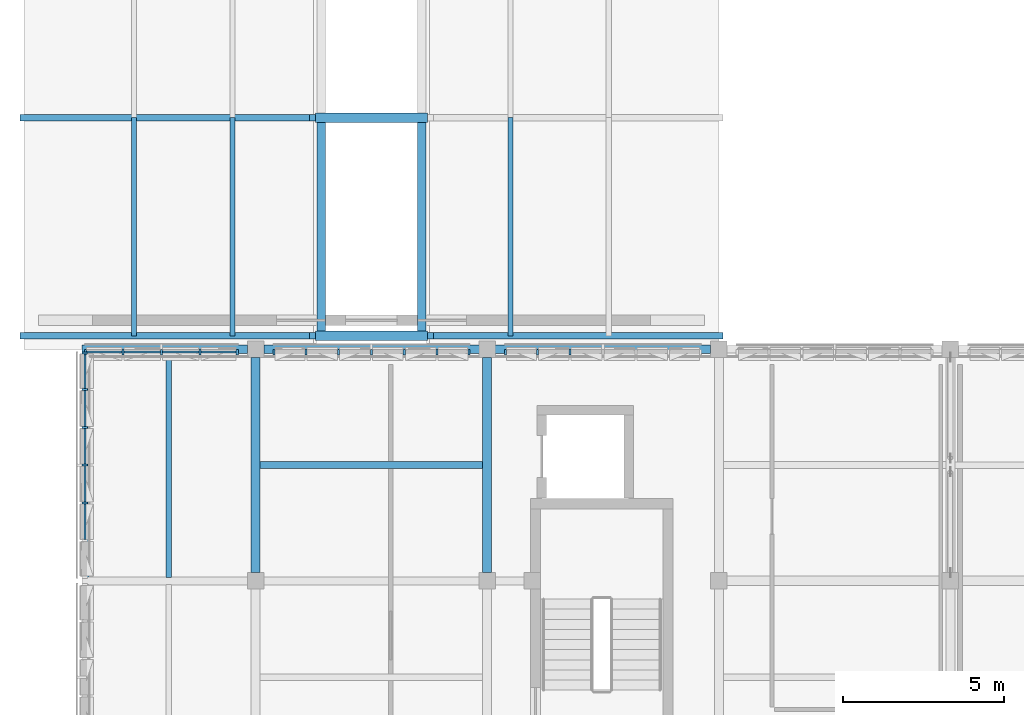
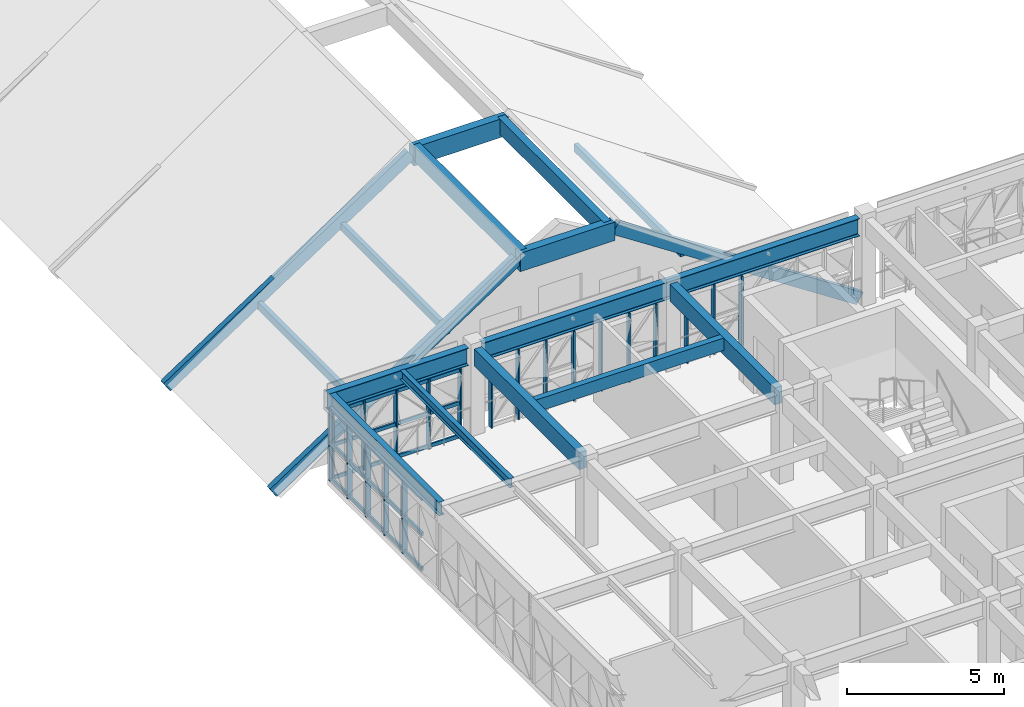
# One storey, part 8 of 48: 53 members, 11 beams, 4 elements without a shape of their own.
"""IFC4 building model written with IfcOpenShell, lengths in metres."""

from ifc_helpers import new_model, si_unit, direction, frame, origin, origin_2d, place, context, subcontext, project, spatial, rectangle, i_section, extrude, material, material_profile, profile_set, type_object, element, aggregate, save


model = new_model("IFC4")

# Units and contexts
model_context = context("Model", 3, precision=1e-05, world=origin(), true_north=direction((0.0, 1.0)))
body_context = subcontext(model_context, "Body", "Model", "MODEL_VIEW")
ifc_project = project(units=[si_unit("LENGTHUNIT", "METRE"), si_unit("AREAUNIT", "SQUARE_METRE"), si_unit("VOLUMEUNIT", "CUBIC_METRE"), si_unit("PLANEANGLEUNIT", "RADIAN"), si_unit("MASSUNIT", "GRAM", prefix="KILO")], contexts=[model_context])

# Site, building, storey
site_placement = place(None, origin())
site = spatial("IfcSite", under=ifc_project, at=site_placement, CompositionType="ELEMENT")
building_placement = place(site_placement, origin())
building = spatial("IfcBuilding", under=site, at=building_placement, Name="Alvorim Cloister Faculty of Sciences", CompositionType="ELEMENT")
storey_placement = place(building_placement, frame((0.0, 0.0, 19.35009765625)))
storey = spatial("IfcBuildingStorey", under=building, at=storey_placement, Name="L05", CompositionType="ELEMENT", Elevation=19.35009765625)

# Beams
ifc_material_1 = material(Name="Glulam GL28h", Category="wood")
ifc_material_profile_1 = material_profile(ifc_material_1, rectangle(XDim=0.260009765625, YDim=0.60009765625, at=origin_2d()), Name="GL28-BM-260x600")
ifc_profile_set_1 = profile_set([ifc_material_profile_1], Name="Glulam GL28h")
beam_type_1 = type_object("IfcBeamType", Name="BM-GL-260x600", PredefinedType="BEAM", material=ifc_profile_set_1)
for number, where, z_axis, x_axis, name in (
    (1, (9.239990234375, 56.820068359375, 5.78857421875), (0.0, 1.0, 0.0), (-1.0, 0.0, 0.0), "L05 Learning Commons Skylight Curb Beam BM-2242"),
    (2, (12.360107421875, 56.820068359375, 5.78857421875), (0.0, 1.0, 0.0), (-1.0, 0.0, 0.0), "L05 Learning Commons Skylight Curb Beam BM-2250"),
):
    element("IfcBeam", number, at=place(storey_placement, frame(where, z_axis=z_axis, x_axis=x_axis)), inside=storey, type_object=beam_type_1, Name=name, PredefinedType="BEAM", context=body_context, shape_type="SweptSolid", body=[
        extrude(rectangle(XDim=0.260009765625, YDim=0.60009765625, at=origin_2d()), origin(), (0.0, 0.0, 1.0), 6.780029296875),
    ])
ifc_material_profile_2 = material_profile(ifc_material_1, rectangle(XDim=0.280029296875, YDim=0.659912109375, at=origin_2d()), Name="GL28-BM-280x660")
ifc_profile_set_2 = profile_set([ifc_material_profile_2], Name="Glulam GL28h")
beam_type_2 = type_object("IfcBeamType", Name="BM-GL-280x660", PredefinedType="BEAM", material=ifc_profile_set_2)
for number, where, z_axis, x_axis, name in (
    (3, (7.199951171875, 49.4599609375, 3.059814453125), (0.0, 1.0, 0.0), (-1.0, 0.0, 0.0), "L05 Primary Girder BM-1986"),
    (4, (14.39990234375, 49.4599609375, 3.059814453125), (0.0, 1.0, 0.0), (-1.0, 0.0, 0.0), "L05 Primary Girder BM-1993"),
):
    element("IfcBeam", number, at=place(storey_placement, frame(where, z_axis=z_axis, x_axis=x_axis)), inside=storey, type_object=beam_type_2, Name=name, PredefinedType="BEAM", context=body_context, shape_type="SweptSolid", body=[
        extrude(rectangle(XDim=0.280029296875, YDim=0.659912109375, at=origin_2d()), origin(), (0.0, 0.0, 1.0), 6.679931640625),
    ])
ifc_material_2 = material(Name="Glulam GL32h", Category="wood")
ifc_material_profile_3 = material_profile(ifc_material_2, rectangle(XDim=0.300048828125, YDim=0.719970703125, at=origin_2d()), Name="GL32-BM-300x720")
ifc_profile_set_3 = profile_set([ifc_material_profile_3], Name="Glulam GL32h")
beam_type_3 = type_object("IfcBeamType", Name="BM-GL-300x720", PredefinedType="BEAM", material=ifc_profile_set_3)
for number, where, z_axis, x_axis, name in (
    (5, (9.06005859375, 56.820068359375, 5.728515625), (1.0, 0.0, 0.0), (0.0, 1.0, 0.0), "L05 Learning Commons Lantern Collar Beam BM-2233"),
    (6, (9.06005859375, 63.60009765625, 5.728515625), (1.0, 0.0, 0.0), (0.0, 1.0, 0.0), "L05 Learning Commons Lantern Collar Beam BM-2234"),
):
    element("IfcBeam", number, at=place(storey_placement, frame(where, z_axis=z_axis, x_axis=x_axis)), inside=storey, type_object=beam_type_3, Name=name, PredefinedType="BEAM", context=body_context, shape_type="SweptSolid", body=[
        extrude(rectangle(XDim=0.300048828125, YDim=0.719970703125, at=origin_2d()), origin(), (0.0, 0.0, 1.0), 3.47998046875),
    ])
ifc_material_profile_4 = material_profile(ifc_material_1, rectangle(XDim=0.219970703125, YDim=0.47998046875, at=origin_2d()), Name="GL28-JST-220x480")
ifc_profile_set_4 = profile_set([ifc_material_profile_4], Name="Glulam GL28h")
beam_type_4 = type_object("IfcBeamType", Name="BM-JST-GL-220x480", PredefinedType="JOIST", material=ifc_profile_set_4)
beam_1_placement = place(storey_placement, frame((7.340087890625, 52.800048828125, 3.14990234375), z_axis=(1.0, 0.0, 0.0), x_axis=(0.0, 1.0, 0.0)))
element("IfcBeam", 7, at=beam_1_placement, inside=storey, type_object=beam_type_4, Name="L05 Secondary Floor Joist BM-2022", PredefinedType="JOIST", context=body_context, shape_type="SweptSolid", body=[
    extrude(rectangle(XDim=0.219970703125, YDim=0.47998046875, at=origin_2d()), origin(), (0.0, 0.0, 1.0), 6.919921875),
])
ifc_material_3 = material(Name="Steel ASTM A572 Grade 50", Category="steel")
ifc_material_profile_5 = material_profile(ifc_material_3, i_section(OverallWidth=0.1708984375, OverallDepth=0.35498046875, WebThickness=0.007080078125, FlangeThickness=0.01171875, FilletRadius=0.012939453125, at=origin_2d()), Name="W360x51.0")
ifc_profile_set_5 = profile_set([ifc_material_profile_5], Name="Steel ASTM A572 Grade 50")
beam_type_5 = type_object("IfcBeamType", Name="BM-STL-W360", PredefinedType="JOIST", material=ifc_profile_set_5)
beam_2_placement = place(storey_placement, frame((4.5, 49.31005859375, 3.21240234375), z_axis=(0.0, 1.0, 0.0), x_axis=(-1.0, 0.0, 0.0)))
element("IfcBeam", 8, at=beam_2_placement, inside=storey, type_object=beam_type_5, Name="L05 Cantilever Deck Joist BM-0126", PredefinedType="JOIST", context=body_context, shape_type="SweptSolid", body=[
    extrude(i_section(OverallWidth=0.1708984375, OverallDepth=0.35498046875, WebThickness=0.007080078125, FlangeThickness=0.01171875, FilletRadius=0.012939453125, at=origin_2d()), origin(), (0.0, 0.0, 1.0), 6.97998046875),
])
ifc_material_profile_6 = material_profile(ifc_material_3, i_section(OverallWidth=0.208984375, OverallDepth=0.532958984375, WebThickness=0.01025390625, FlangeThickness=0.015625, FilletRadius=0.01611328125, at=origin_2d()), Name="W530x92.0")
ifc_profile_set_6 = profile_set([ifc_material_profile_6], Name="Steel ASTM A572 Grade 50")
beam_type_6 = type_object("IfcBeamType", Name="BM-STL-W530", PredefinedType="BEAM", material=ifc_profile_set_6)
beam_3_placement = place(storey_placement, frame((1.919921875, 49.31005859375, 3.123291015625), z_axis=(0.0, 1.0, 0.0), x_axis=(-1.0, 0.0, 0.0)))
element("IfcBeam", 9, at=beam_3_placement, inside=storey, type_object=beam_type_6, Name="L05 Cantilever Tip Header Girder BM-0125", PredefinedType="BEAM", context=body_context, shape_type="SweptSolid", body=[
    extrude(i_section(OverallWidth=0.208984375, OverallDepth=0.532958984375, WebThickness=0.01025390625, FlangeThickness=0.015625, FilletRadius=0.01611328125, at=origin_2d()), origin(), (0.0, 0.0, 1.0), 6.97998046875),
])
ifc_material_profile_7 = material_profile(ifc_material_3, i_section(OverallWidth=0.25390625, OverallDepth=0.68408203125, WebThickness=0.012451171875, FlangeThickness=0.01904296875, FilletRadius=0.01904296875, at=origin_2d()), Name="W690x140.0")
ifc_profile_set_7 = profile_set([ifc_material_profile_7], Name="Steel ASTM A572 Grade 50")
beam_type_7 = type_object("IfcBeamType", Name="BM-STL-W690", PredefinedType="BEAM", material=ifc_profile_set_7)
beam_4_placement = place(storey_placement, frame((7.4599609375, 56.39990234375, 3.0478515625), z_axis=(1.0, 0.0, 0.0), x_axis=(0.0, 1.0, 0.0)))
element("IfcBeam", 10, at=beam_4_placement, inside=storey, type_object=beam_type_7, Name="L05 Cantilever Backspan Girder BM-0115", PredefinedType="BEAM", context=body_context, shape_type="SweptSolid", body=[
    extrude(i_section(OverallWidth=0.25390625, OverallDepth=0.68408203125, WebThickness=0.012451171875, FlangeThickness=0.01904296875, FilletRadius=0.01904296875, at=origin_2d()), origin(), (0.0, 0.0, 1.0), 13.880126953125),
])
beam_5_placement = place(storey_placement, frame((1.800048828125, 56.39990234375, 3.0478515625), z_axis=(1.0, 0.0, 0.0), x_axis=(0.0, 1.0, 0.0)))
element("IfcBeam", 11, at=beam_5_placement, inside=storey, type_object=beam_type_7, Name="L05 Cantilever Overhang Girder BM-0116", PredefinedType="BEAM", context=body_context, shape_type="SweptSolid", body=[
    extrude(i_section(OverallWidth=0.25390625, OverallDepth=0.68408203125, WebThickness=0.012451171875, FlangeThickness=0.01904296875, FilletRadius=0.01904296875, at=origin_2d()), origin(), (0.0, 0.0, 1.0), 5.139892578125),
])

# Curtain wall, members
ifc_material_4 = material(Name="Aluminium and Low-E Glass Curtain Wall", Category="aluminium")
curtain_wall_type_1 = type_object("IfcCurtainWallType", Name="CW-TRI-7040x2857", PredefinedType="USERDEFINED", material=ifc_material_4)
curtain_wall_1_placement = place(storey_placement, origin())
curtain_wall_1 = element("IfcCurtainWall", 12, at=curtain_wall_1_placement, inside=storey, type_object=curtain_wall_type_1, Name="L05 Diagonal Cassette Curtain Wall CW-0218", ObjectType="UNITISED CURTAIN WALL", PredefinedType="USERDEFINED")
ifc_material_5 = material(Name="Aluminium Alloy 6063-T6", Category="aluminium")
ifc_material_profile_8 = material_profile(ifc_material_5, rectangle(XDim=0.06494140625, YDim=0.179931640625, at=origin_2d()), Name="ALU-MUL-65x180")
ifc_profile_set_8 = profile_set([ifc_material_profile_8], Name="Aluminium Alloy 6063-T6")
member_type_1 = type_object("IfcMemberType", Name="CW-MUL-65x180", PredefinedType="MULLION", material=ifc_profile_set_8)
member_1_placement = place(storey_placement, frame((1.889892578125, 51.626708984375, 0.0), z_axis=(0.0, 0.0, 1.0), x_axis=(0.0, 1.0, 0.0)))
member_1 = element("IfcMember", 13, at=member_1_placement, type_object=member_type_1, Name="CW-0218 Mullion 3", PredefinedType="MULLION", context=body_context, shape_type="SweptSolid", body=[
    extrude(rectangle(XDim=0.06494140625, YDim=0.179931640625, at=origin_2d()), origin(), (0.0, 0.0, 1.0), 2.85693359375),
])
member_2_placement = place(storey_placement, frame((1.889892578125, 52.800048828125, 0.0), z_axis=(0.0, 0.0, 1.0), x_axis=(0.0, 1.0, 0.0)))
member_2 = element("IfcMember", 14, at=member_2_placement, type_object=member_type_1, Name="CW-0218 Mullion 4", PredefinedType="MULLION", context=body_context, shape_type="SweptSolid", body=[
    extrude(rectangle(XDim=0.06494140625, YDim=0.179931640625, at=origin_2d()), origin(), (0.0, 0.0, 1.0), 2.85693359375),
])
member_3_placement = place(storey_placement, frame((1.889892578125, 53.973388671875, 0.0), z_axis=(0.0, 0.0, 1.0), x_axis=(0.0, 1.0, 0.0)))
member_3 = element("IfcMember", 15, at=member_3_placement, type_object=member_type_1, Name="CW-0218 Mullion 5", PredefinedType="MULLION", context=body_context, shape_type="SweptSolid", body=[
    extrude(rectangle(XDim=0.06494140625, YDim=0.179931640625, at=origin_2d()), origin(), (0.0, 0.0, 1.0), 2.85693359375),
])
member_4_placement = place(storey_placement, frame((1.889892578125, 55.146728515625, 0.0), z_axis=(0.0, 0.0, 1.0), x_axis=(0.0, 1.0, 0.0)))
member_4 = element("IfcMember", 16, at=member_4_placement, type_object=member_type_1, Name="CW-0218 Mullion 6", PredefinedType="MULLION", context=body_context, shape_type="SweptSolid", body=[
    extrude(rectangle(XDim=0.06494140625, YDim=0.179931640625, at=origin_2d()), origin(), (0.0, 0.0, 1.0), 2.85693359375),
])
member_5_placement = place(storey_placement, frame((1.889892578125, 56.28759765625, 0.0), z_axis=(0.0, 0.0, 1.0), x_axis=(0.0, 1.0, 0.0)))
member_5 = element("IfcMember", 17, at=member_5_placement, type_object=member_type_1, Name="CW-0218 Mullion 7", PredefinedType="MULLION", context=body_context, shape_type="SweptSolid", body=[
    extrude(rectangle(XDim=0.06494140625, YDim=0.179931640625, at=origin_2d()), origin(), (0.0, 0.0, 1.0), 2.85693359375),
])

curtain_wall_type_2 = type_object("IfcCurtainWallType", Name="CW-TRI-4780x2706", PredefinedType="USERDEFINED", material=ifc_material_4)
curtain_wall_2_placement = place(storey_placement, origin())
curtain_wall_2 = element("IfcCurtainWall", 18, at=curtain_wall_2_placement, inside=storey, type_object=curtain_wall_type_2, Name="L05 Diagonal Cassette Curtain Wall CW-0219", ObjectType="UNITISED CURTAIN WALL", PredefinedType="USERDEFINED")
member_6_placement = place(storey_placement, frame((1.91259765625, 56.31005859375, 0.0), z_axis=(0.0, 0.0, 1.0), x_axis=(1.0, 0.0, 0.0)))
member_6 = element("IfcMember", 19, at=member_6_placement, type_object=member_type_1, Name="CW-0219 Mullion 1", PredefinedType="MULLION", context=body_context, shape_type="SweptSolid", body=[
    extrude(rectangle(XDim=0.06494140625, YDim=0.179931640625, at=origin_2d()), origin(), (0.0, 0.0, 1.0), 2.705810546875),
])
member_7_placement = place(storey_placement, frame((3.074951171875, 56.31005859375, 0.0), z_axis=(0.0, 0.0, 1.0), x_axis=(1.0, 0.0, 0.0)))
member_7 = element("IfcMember", 20, at=member_7_placement, type_object=member_type_1, Name="CW-0219 Mullion 2", PredefinedType="MULLION", context=body_context, shape_type="SweptSolid", body=[
    extrude(rectangle(XDim=0.06494140625, YDim=0.179931640625, at=origin_2d()), origin(), (0.0, 0.0, 1.0), 2.705810546875),
])
member_8_placement = place(storey_placement, frame((4.27001953125, 56.31005859375, 0.0), z_axis=(0.0, 0.0, 1.0), x_axis=(1.0, 0.0, 0.0)))
member_8 = element("IfcMember", 21, at=member_8_placement, type_object=member_type_1, Name="CW-0219 Mullion 3", PredefinedType="MULLION", context=body_context, shape_type="SweptSolid", body=[
    extrude(rectangle(XDim=0.06494140625, YDim=0.179931640625, at=origin_2d()), origin(), (0.0, 0.0, 1.0), 2.705810546875),
])
member_9_placement = place(storey_placement, frame((5.465087890625, 56.31005859375, 0.0), z_axis=(0.0, 0.0, 1.0), x_axis=(1.0, 0.0, 0.0)))
member_9 = element("IfcMember", 22, at=member_9_placement, type_object=member_type_1, Name="CW-0219 Mullion 4", PredefinedType="MULLION", context=body_context, shape_type="SweptSolid", body=[
    extrude(rectangle(XDim=0.06494140625, YDim=0.179931640625, at=origin_2d()), origin(), (0.0, 0.0, 1.0), 2.705810546875),
])
member_10_placement = place(storey_placement, frame((6.62744140625, 56.31005859375, 0.0), z_axis=(0.0, 0.0, 1.0), x_axis=(1.0, 0.0, 0.0)))
member_10 = element("IfcMember", 23, at=member_10_placement, type_object=member_type_1, Name="CW-0219 Mullion 5", PredefinedType="MULLION", context=body_context, shape_type="SweptSolid", body=[
    extrude(rectangle(XDim=0.06494140625, YDim=0.179931640625, at=origin_2d()), origin(), (0.0, 0.0, 1.0), 2.705810546875),
])

curtain_wall_type_3 = type_object("IfcCurtainWallType", Name="CW-TRI-6120x2706", PredefinedType="USERDEFINED", material=ifc_material_4)
curtain_wall_3_placement = place(storey_placement, origin())
curtain_wall_3 = element("IfcCurtainWall", 24, at=curtain_wall_3_placement, inside=storey, type_object=curtain_wall_type_3, Name="L05 Diagonal Cassette Curtain Wall CW-0220", ObjectType="UNITISED CURTAIN WALL", PredefinedType="USERDEFINED")
member_11_placement = place(storey_placement, frame((7.7724609375, 56.31005859375, 0.0), z_axis=(0.0, 0.0, 1.0), x_axis=(1.0, 0.0, 0.0)))
member_11 = element("IfcMember", 25, at=member_11_placement, type_object=member_type_1, Name="CW-0220 Mullion 1", PredefinedType="MULLION", context=body_context, shape_type="SweptSolid", body=[
    extrude(rectangle(XDim=0.06494140625, YDim=0.179931640625, at=origin_2d()), origin(), (0.0, 0.0, 1.0), 2.705810546875),
])
member_12_placement = place(storey_placement, frame((8.760009765625, 56.31005859375, 0.0), z_axis=(0.0, 0.0, 1.0), x_axis=(1.0, 0.0, 0.0)))
member_12 = element("IfcMember", 26, at=member_12_placement, type_object=member_type_1, Name="CW-0220 Mullion 2", PredefinedType="MULLION", context=body_context, shape_type="SweptSolid", body=[
    extrude(rectangle(XDim=0.06494140625, YDim=0.179931640625, at=origin_2d()), origin(), (0.0, 0.0, 1.0), 2.705810546875),
])
member_13_placement = place(storey_placement, frame((9.780029296875, 56.31005859375, 0.0), z_axis=(0.0, 0.0, 1.0), x_axis=(1.0, 0.0, 0.0)))
member_13 = element("IfcMember", 27, at=member_13_placement, type_object=member_type_1, Name="CW-0220 Mullion 3", PredefinedType="MULLION", context=body_context, shape_type="SweptSolid", body=[
    extrude(rectangle(XDim=0.06494140625, YDim=0.179931640625, at=origin_2d()), origin(), (0.0, 0.0, 1.0), 2.705810546875),
])
member_14_placement = place(storey_placement, frame((10.800048828125, 56.31005859375, 0.0), z_axis=(0.0, 0.0, 1.0), x_axis=(1.0, 0.0, 0.0)))
member_14 = element("IfcMember", 28, at=member_14_placement, type_object=member_type_1, Name="CW-0220 Mullion 4", PredefinedType="MULLION", context=body_context, shape_type="SweptSolid", body=[
    extrude(rectangle(XDim=0.06494140625, YDim=0.179931640625, at=origin_2d()), origin(), (0.0, 0.0, 1.0), 2.705810546875),
])
member_15_placement = place(storey_placement, frame((11.820068359375, 56.31005859375, 0.0), z_axis=(0.0, 0.0, 1.0), x_axis=(1.0, 0.0, 0.0)))
member_15 = element("IfcMember", 29, at=member_15_placement, type_object=member_type_1, Name="CW-0220 Mullion 5", PredefinedType="MULLION", context=body_context, shape_type="SweptSolid", body=[
    extrude(rectangle(XDim=0.06494140625, YDim=0.179931640625, at=origin_2d()), origin(), (0.0, 0.0, 1.0), 2.705810546875),
])
member_16_placement = place(storey_placement, frame((12.840087890625, 56.31005859375, 0.0), z_axis=(0.0, 0.0, 1.0), x_axis=(1.0, 0.0, 0.0)))
member_16 = element("IfcMember", 30, at=member_16_placement, type_object=member_type_1, Name="CW-0220 Mullion 6", PredefinedType="MULLION", context=body_context, shape_type="SweptSolid", body=[
    extrude(rectangle(XDim=0.06494140625, YDim=0.179931640625, at=origin_2d()), origin(), (0.0, 0.0, 1.0), 2.705810546875),
])
member_17_placement = place(storey_placement, frame((13.827392578125, 56.31005859375, 0.0), z_axis=(0.0, 0.0, 1.0), x_axis=(1.0, 0.0, 0.0)))
member_17 = element("IfcMember", 31, at=member_17_placement, type_object=member_type_1, Name="CW-0220 Mullion 7", PredefinedType="MULLION", context=body_context, shape_type="SweptSolid", body=[
    extrude(rectangle(XDim=0.06494140625, YDim=0.179931640625, at=origin_2d()), origin(), (0.0, 0.0, 1.0), 2.705810546875),
])
aggregate(curtain_wall_3, [member_11, member_12, member_13, member_14, member_15, member_16, member_17])

curtain_wall_4_placement = place(storey_placement, origin())
curtain_wall_4 = element("IfcCurtainWall", 32, at=curtain_wall_4_placement, inside=storey, type_object=curtain_wall_type_3, Name="L05 Diagonal Cassette Curtain Wall CW-0221", ObjectType="UNITISED CURTAIN WALL", PredefinedType="USERDEFINED")
member_18_placement = place(storey_placement, frame((14.972412109375, 56.31005859375, 0.0), z_axis=(0.0, 0.0, 1.0), x_axis=(1.0, 0.0, 0.0)))
member_18 = element("IfcMember", 33, at=member_18_placement, type_object=member_type_1, Name="CW-0221 Mullion 1", PredefinedType="MULLION", context=body_context, shape_type="SweptSolid", body=[
    extrude(rectangle(XDim=0.06494140625, YDim=0.179931640625, at=origin_2d()), origin(), (0.0, 0.0, 1.0), 2.705810546875),
])
member_19_placement = place(storey_placement, frame((15.9599609375, 56.31005859375, 0.0), z_axis=(0.0, 0.0, 1.0), x_axis=(1.0, 0.0, 0.0)))
member_19 = element("IfcMember", 34, at=member_19_placement, type_object=member_type_1, Name="CW-0221 Mullion 2", PredefinedType="MULLION", context=body_context, shape_type="SweptSolid", body=[
    extrude(rectangle(XDim=0.06494140625, YDim=0.179931640625, at=origin_2d()), origin(), (0.0, 0.0, 1.0), 2.705810546875),
])
member_20_placement = place(storey_placement, frame((16.97998046875, 56.31005859375, 0.0), z_axis=(0.0, 0.0, 1.0), x_axis=(1.0, 0.0, 0.0)))
member_20 = element("IfcMember", 35, at=member_20_placement, type_object=member_type_1, Name="CW-0221 Mullion 3", PredefinedType="MULLION", context=body_context, shape_type="SweptSolid", body=[
    extrude(rectangle(XDim=0.06494140625, YDim=0.179931640625, at=origin_2d()), origin(), (0.0, 0.0, 1.0), 2.705810546875),
])
aggregate(curtain_wall_4, [member_18, member_19, member_20])

# Member
ifc_material_profile_9 = material_profile(ifc_material_5, rectangle(XDim=0.06494140625, YDim=0.139892578125, at=origin_2d()), Name="ALU-TRN-65x140")
ifc_profile_set_9 = profile_set([ifc_material_profile_9], Name="Aluminium Alloy 6063-T6")
member_type_2 = type_object("IfcMemberType", Name="CW-TRN-65x140", PredefinedType="USERDEFINED", material=ifc_profile_set_9)
member_21_placement = place(storey_placement, frame((1.889892578125, 50.48583984375, 0.06982421875), z_axis=(0.0, 1.0, 0.0), x_axis=(-1.0, 0.0, 0.0)))
member_21 = element("IfcMember", 36, at=member_21_placement, type_object=member_type_2, Name="CW-0218 Transom 2.1", ObjectType="TRANSOM", PredefinedType="USERDEFINED", context=body_context, shape_type="SweptSolid", body=[
    extrude(rectangle(XDim=0.06494140625, YDim=0.139892578125, at=origin_2d()), origin(), (0.0, 0.0, 1.0), 1.1083984375),
])

member_22_placement = place(storey_placement, frame((1.889892578125, 50.48583984375, 1.428466796875), z_axis=(0.0, 1.0, 0.0), x_axis=(-1.0, 0.0, 0.0)))
member_22 = element("IfcMember", 37, at=member_22_placement, type_object=member_type_2, Name="CW-0218 Transom 2.2", ObjectType="TRANSOM", PredefinedType="USERDEFINED", context=body_context, shape_type="SweptSolid", body=[
    extrude(rectangle(XDim=0.06494140625, YDim=0.139892578125, at=origin_2d()), origin(), (0.0, 0.0, 1.0), 1.1083984375),
])

member_23_placement = place(storey_placement, frame((1.889892578125, 50.48583984375, 2.786865234375), z_axis=(0.0, 1.0, 0.0), x_axis=(-1.0, 0.0, 0.0)))
member_23 = element("IfcMember", 38, at=member_23_placement, type_object=member_type_2, Name="CW-0218 Transom 2.3", ObjectType="TRANSOM", PredefinedType="USERDEFINED", context=body_context, shape_type="SweptSolid", body=[
    extrude(rectangle(XDim=0.06494140625, YDim=0.139892578125, at=origin_2d()), origin(), (0.0, 0.0, 1.0), 1.1083984375),
])

member_24_placement = place(storey_placement, frame((1.889892578125, 51.6591796875, 0.06982421875), z_axis=(0.0, 1.0, 0.0), x_axis=(-1.0, 0.0, 0.0)))
member_24 = element("IfcMember", 39, at=member_24_placement, type_object=member_type_2, Name="CW-0218 Transom 3.1", ObjectType="TRANSOM", PredefinedType="USERDEFINED", context=body_context, shape_type="SweptSolid", body=[
    extrude(rectangle(XDim=0.06494140625, YDim=0.139892578125, at=origin_2d()), origin(), (0.0, 0.0, 1.0), 1.1083984375),
])

member_25_placement = place(storey_placement, frame((1.889892578125, 51.6591796875, 1.428466796875), z_axis=(0.0, 1.0, 0.0), x_axis=(-1.0, 0.0, 0.0)))
member_25 = element("IfcMember", 40, at=member_25_placement, type_object=member_type_2, Name="CW-0218 Transom 3.2", ObjectType="TRANSOM", PredefinedType="USERDEFINED", context=body_context, shape_type="SweptSolid", body=[
    extrude(rectangle(XDim=0.06494140625, YDim=0.139892578125, at=origin_2d()), origin(), (0.0, 0.0, 1.0), 1.1083984375),
])

member_26_placement = place(storey_placement, frame((1.889892578125, 51.6591796875, 2.786865234375), z_axis=(0.0, 1.0, 0.0), x_axis=(-1.0, 0.0, 0.0)))
member_26 = element("IfcMember", 41, at=member_26_placement, type_object=member_type_2, Name="CW-0218 Transom 3.3", ObjectType="TRANSOM", PredefinedType="USERDEFINED", context=body_context, shape_type="SweptSolid", body=[
    extrude(rectangle(XDim=0.06494140625, YDim=0.139892578125, at=origin_2d()), origin(), (0.0, 0.0, 1.0), 1.1083984375),
])

member_27_placement = place(storey_placement, frame((1.889892578125, 52.83251953125, 0.06982421875), z_axis=(0.0, 1.0, 0.0), x_axis=(-1.0, 0.0, 0.0)))
member_27 = element("IfcMember", 42, at=member_27_placement, type_object=member_type_2, Name="CW-0218 Transom 4.1", ObjectType="TRANSOM", PredefinedType="USERDEFINED", context=body_context, shape_type="SweptSolid", body=[
    extrude(rectangle(XDim=0.06494140625, YDim=0.139892578125, at=origin_2d()), origin(), (0.0, 0.0, 1.0), 1.1083984375),
])

member_28_placement = place(storey_placement, frame((1.889892578125, 52.83251953125, 1.428466796875), z_axis=(0.0, 1.0, 0.0), x_axis=(-1.0, 0.0, 0.0)))
member_28 = element("IfcMember", 43, at=member_28_placement, type_object=member_type_2, Name="CW-0218 Transom 4.2", ObjectType="TRANSOM", PredefinedType="USERDEFINED", context=body_context, shape_type="SweptSolid", body=[
    extrude(rectangle(XDim=0.06494140625, YDim=0.139892578125, at=origin_2d()), origin(), (0.0, 0.0, 1.0), 1.1083984375),
])

member_29_placement = place(storey_placement, frame((1.889892578125, 52.83251953125, 2.786865234375), z_axis=(0.0, 1.0, 0.0), x_axis=(-1.0, 0.0, 0.0)))
member_29 = element("IfcMember", 44, at=member_29_placement, type_object=member_type_2, Name="CW-0218 Transom 4.3", ObjectType="TRANSOM", PredefinedType="USERDEFINED", context=body_context, shape_type="SweptSolid", body=[
    extrude(rectangle(XDim=0.06494140625, YDim=0.139892578125, at=origin_2d()), origin(), (0.0, 0.0, 1.0), 1.1083984375),
])

member_30_placement = place(storey_placement, frame((1.889892578125, 54.005859375, 0.06982421875), z_axis=(0.0, 1.0, 0.0), x_axis=(-1.0, 0.0, 0.0)))
member_30 = element("IfcMember", 45, at=member_30_placement, type_object=member_type_2, Name="CW-0218 Transom 5.1", ObjectType="TRANSOM", PredefinedType="USERDEFINED", context=body_context, shape_type="SweptSolid", body=[
    extrude(rectangle(XDim=0.06494140625, YDim=0.139892578125, at=origin_2d()), origin(), (0.0, 0.0, 1.0), 1.1083984375),
])

member_31_placement = place(storey_placement, frame((1.889892578125, 54.005859375, 1.428466796875), z_axis=(0.0, 1.0, 0.0), x_axis=(-1.0, 0.0, 0.0)))
member_31 = element("IfcMember", 46, at=member_31_placement, type_object=member_type_2, Name="CW-0218 Transom 5.2", ObjectType="TRANSOM", PredefinedType="USERDEFINED", context=body_context, shape_type="SweptSolid", body=[
    extrude(rectangle(XDim=0.06494140625, YDim=0.139892578125, at=origin_2d()), origin(), (0.0, 0.0, 1.0), 1.1083984375),
])

member_32_placement = place(storey_placement, frame((1.889892578125, 54.005859375, 2.786865234375), z_axis=(0.0, 1.0, 0.0), x_axis=(-1.0, 0.0, 0.0)))
member_32 = element("IfcMember", 47, at=member_32_placement, type_object=member_type_2, Name="CW-0218 Transom 5.3", ObjectType="TRANSOM", PredefinedType="USERDEFINED", context=body_context, shape_type="SweptSolid", body=[
    extrude(rectangle(XDim=0.06494140625, YDim=0.139892578125, at=origin_2d()), origin(), (0.0, 0.0, 1.0), 1.1083984375),
])

member_33_placement = place(storey_placement, frame((1.889892578125, 55.17919921875, 0.06982421875), z_axis=(0.0, 1.0, 0.0), x_axis=(-1.0, 0.0, 0.0)))
member_33 = element("IfcMember", 48, at=member_33_placement, type_object=member_type_2, Name="CW-0218 Transom 6.1", ObjectType="TRANSOM", PredefinedType="USERDEFINED", context=body_context, shape_type="SweptSolid", body=[
    extrude(rectangle(XDim=0.06494140625, YDim=0.139892578125, at=origin_2d()), origin(), (0.0, 0.0, 1.0), 1.07568359375),
])

member_34_placement = place(storey_placement, frame((1.889892578125, 55.17919921875, 1.428466796875), z_axis=(0.0, 1.0, 0.0), x_axis=(-1.0, 0.0, 0.0)))
member_34 = element("IfcMember", 49, at=member_34_placement, type_object=member_type_2, Name="CW-0218 Transom 6.2", ObjectType="TRANSOM", PredefinedType="USERDEFINED", context=body_context, shape_type="SweptSolid", body=[
    extrude(rectangle(XDim=0.06494140625, YDim=0.139892578125, at=origin_2d()), origin(), (0.0, 0.0, 1.0), 1.07568359375),
])

member_35_placement = place(storey_placement, frame((1.889892578125, 55.17919921875, 2.786865234375), z_axis=(0.0, 1.0, 0.0), x_axis=(-1.0, 0.0, 0.0)))
member_35 = element("IfcMember", 50, at=member_35_placement, type_object=member_type_2, Name="CW-0218 Transom 6.3", ObjectType="TRANSOM", PredefinedType="USERDEFINED", context=body_context, shape_type="SweptSolid", body=[
    extrude(rectangle(XDim=0.06494140625, YDim=0.139892578125, at=origin_2d()), origin(), (0.0, 0.0, 1.0), 1.07568359375),
])

aggregate(curtain_wall_1, [member_1, member_2, member_3, member_4, member_5, member_21, member_22, member_23, member_24, member_25, member_26, member_27, member_28, member_29, member_30, member_31, member_32, member_33, member_34, member_35])

member_36_placement = place(storey_placement, frame((1.945068359375, 56.31005859375, 0.06982421875), z_axis=(1.0, 0.0, 0.0), x_axis=(0.0, 1.0, 0.0)))
member_36 = element("IfcMember", 51, at=member_36_placement, type_object=member_type_2, Name="CW-0219 Transom 1.1", ObjectType="TRANSOM", PredefinedType="USERDEFINED", context=body_context, shape_type="SweptSolid", body=[
    extrude(rectangle(XDim=0.06494140625, YDim=0.139892578125, at=origin_2d()), origin(), (0.0, 0.0, 1.0), 1.097412109375),
])

member_37_placement = place(storey_placement, frame((1.945068359375, 56.31005859375, 1.352783203125), z_axis=(1.0, 0.0, 0.0), x_axis=(0.0, 1.0, 0.0)))
member_37 = element("IfcMember", 52, at=member_37_placement, type_object=member_type_2, Name="CW-0219 Transom 1.2", ObjectType="TRANSOM", PredefinedType="USERDEFINED", context=body_context, shape_type="SweptSolid", body=[
    extrude(rectangle(XDim=0.06494140625, YDim=0.139892578125, at=origin_2d()), origin(), (0.0, 0.0, 1.0), 1.097412109375),
])

member_38_placement = place(storey_placement, frame((1.945068359375, 56.31005859375, 2.635986328125), z_axis=(1.0, 0.0, 0.0), x_axis=(0.0, 1.0, 0.0)))
member_38 = element("IfcMember", 53, at=member_38_placement, type_object=member_type_2, Name="CW-0219 Transom 1.3", ObjectType="TRANSOM", PredefinedType="USERDEFINED", context=body_context, shape_type="SweptSolid", body=[
    extrude(rectangle(XDim=0.06494140625, YDim=0.139892578125, at=origin_2d()), origin(), (0.0, 0.0, 1.0), 1.097412109375),
])

member_39_placement = place(storey_placement, frame((3.107421875, 56.31005859375, 0.06982421875), z_axis=(1.0, 0.0, 0.0), x_axis=(0.0, 1.0, 0.0)))
member_39 = element("IfcMember", 54, at=member_39_placement, type_object=member_type_2, Name="CW-0219 Transom 2.1", ObjectType="TRANSOM", PredefinedType="USERDEFINED", context=body_context, shape_type="SweptSolid", body=[
    extrude(rectangle(XDim=0.06494140625, YDim=0.139892578125, at=origin_2d()), origin(), (0.0, 0.0, 1.0), 1.130126953125),
])

member_40_placement = place(storey_placement, frame((3.107421875, 56.31005859375, 1.352783203125), z_axis=(1.0, 0.0, 0.0), x_axis=(0.0, 1.0, 0.0)))
member_40 = element("IfcMember", 55, at=member_40_placement, type_object=member_type_2, Name="CW-0219 Transom 2.2", ObjectType="TRANSOM", PredefinedType="USERDEFINED", context=body_context, shape_type="SweptSolid", body=[
    extrude(rectangle(XDim=0.06494140625, YDim=0.139892578125, at=origin_2d()), origin(), (0.0, 0.0, 1.0), 1.130126953125),
])

member_41_placement = place(storey_placement, frame((3.107421875, 56.31005859375, 2.635986328125), z_axis=(1.0, 0.0, 0.0), x_axis=(0.0, 1.0, 0.0)))
member_41 = element("IfcMember", 56, at=member_41_placement, type_object=member_type_2, Name="CW-0219 Transom 2.3", ObjectType="TRANSOM", PredefinedType="USERDEFINED", context=body_context, shape_type="SweptSolid", body=[
    extrude(rectangle(XDim=0.06494140625, YDim=0.139892578125, at=origin_2d()), origin(), (0.0, 0.0, 1.0), 1.130126953125),
])

member_42_placement = place(storey_placement, frame((4.302490234375, 56.31005859375, 0.06982421875), z_axis=(1.0, 0.0, 0.0), x_axis=(0.0, 1.0, 0.0)))
member_42 = element("IfcMember", 57, at=member_42_placement, type_object=member_type_2, Name="CW-0219 Transom 3.1", ObjectType="TRANSOM", PredefinedType="USERDEFINED", context=body_context, shape_type="SweptSolid", body=[
    extrude(rectangle(XDim=0.06494140625, YDim=0.139892578125, at=origin_2d()), origin(), (0.0, 0.0, 1.0), 1.130126953125),
])

member_43_placement = place(storey_placement, frame((4.302490234375, 56.31005859375, 1.352783203125), z_axis=(1.0, 0.0, 0.0), x_axis=(0.0, 1.0, 0.0)))
member_43 = element("IfcMember", 58, at=member_43_placement, type_object=member_type_2, Name="CW-0219 Transom 3.2", ObjectType="TRANSOM", PredefinedType="USERDEFINED", context=body_context, shape_type="SweptSolid", body=[
    extrude(rectangle(XDim=0.06494140625, YDim=0.139892578125, at=origin_2d()), origin(), (0.0, 0.0, 1.0), 1.130126953125),
])

member_44_placement = place(storey_placement, frame((4.302490234375, 56.31005859375, 2.635986328125), z_axis=(1.0, 0.0, 0.0), x_axis=(0.0, 1.0, 0.0)))
member_44 = element("IfcMember", 59, at=member_44_placement, type_object=member_type_2, Name="CW-0219 Transom 3.3", ObjectType="TRANSOM", PredefinedType="USERDEFINED", context=body_context, shape_type="SweptSolid", body=[
    extrude(rectangle(XDim=0.06494140625, YDim=0.139892578125, at=origin_2d()), origin(), (0.0, 0.0, 1.0), 1.130126953125),
])

member_45_placement = place(storey_placement, frame((5.49755859375, 56.31005859375, 0.06982421875), z_axis=(1.0, 0.0, 0.0), x_axis=(0.0, 1.0, 0.0)))
member_45 = element("IfcMember", 60, at=member_45_placement, type_object=member_type_2, Name="CW-0219 Transom 4.1", ObjectType="TRANSOM", PredefinedType="USERDEFINED", context=body_context, shape_type="SweptSolid", body=[
    extrude(rectangle(XDim=0.06494140625, YDim=0.139892578125, at=origin_2d()), origin(), (0.0, 0.0, 1.0), 1.097412109375),
])

member_46_placement = place(storey_placement, frame((5.49755859375, 56.31005859375, 1.352783203125), z_axis=(1.0, 0.0, 0.0), x_axis=(0.0, 1.0, 0.0)))
member_46 = element("IfcMember", 61, at=member_46_placement, type_object=member_type_2, Name="CW-0219 Transom 4.2", ObjectType="TRANSOM", PredefinedType="USERDEFINED", context=body_context, shape_type="SweptSolid", body=[
    extrude(rectangle(XDim=0.06494140625, YDim=0.139892578125, at=origin_2d()), origin(), (0.0, 0.0, 1.0), 1.097412109375),
])

member_47_placement = place(storey_placement, frame((5.49755859375, 56.31005859375, 2.635986328125), z_axis=(1.0, 0.0, 0.0), x_axis=(0.0, 1.0, 0.0)))
member_47 = element("IfcMember", 62, at=member_47_placement, type_object=member_type_2, Name="CW-0219 Transom 4.3", ObjectType="TRANSOM", PredefinedType="USERDEFINED", context=body_context, shape_type="SweptSolid", body=[
    extrude(rectangle(XDim=0.06494140625, YDim=0.139892578125, at=origin_2d()), origin(), (0.0, 0.0, 1.0), 1.097412109375),
])

aggregate(curtain_wall_2, [member_6, member_7, member_8, member_9, member_10, member_36, member_37, member_38, member_39, member_40, member_41, member_42, member_43, member_44, member_45, member_46, member_47])

# Members
ifc_material_profile_10 = material_profile(ifc_material_1, rectangle(XDim=0.159912109375, YDim=0.300048828125, at=origin_2d()), Name="GL28-PUR-160x300")
ifc_profile_set_10 = profile_set([ifc_material_profile_10], Name="Glulam GL28h")
member_type_3 = type_object("IfcMemberType", Name="MB-PUR-GL28", PredefinedType="PURLIN", material=ifc_profile_set_10)
for number, where, z_axis, x_axis, name in (
    (63, (3.419921875, 56.820068359375, 1.902099609375), (0.0, 1.0, 0.0), (-1.0, 0.0, 0.0), "Learning Commons Roof Purlin MB-0061"),
    (64, (6.47998046875, 56.820068359375, 3.908447265625), (0.0, 1.0, 0.0), (-1.0, 0.0, 0.0), "Learning Commons Roof Purlin MB-0077"),
    (65, (15.1201171875, 56.820068359375, 3.908447265625), (0.0, 1.0, 0.0), (-1.0, 0.0, 0.0), "Learning Commons Roof Purlin MB-0085"),
):
    element("IfcMember", number, at=place(storey_placement, frame(where, z_axis=z_axis, x_axis=x_axis)), inside=storey, type_object=member_type_3, Name=name, PredefinedType="PURLIN", context=body_context, shape_type="SweptSolid", body=[
        extrude(rectangle(XDim=0.159912109375, YDim=0.300048828125, at=origin_2d()), origin(), (0.0, 0.0, 1.0), 6.780029296875),
    ])
ifc_material_profile_11 = material_profile(ifc_material_1, rectangle(XDim=0.199951171875, YDim=0.4599609375, at=origin_2d()), Name="GL28-RAF-200x460")
ifc_profile_set_11 = profile_set([ifc_material_profile_11], Name="Glulam GL28h")
member_type_4 = type_object("IfcMemberType", Name="MB-RAF-GL28", PredefinedType="RAFTER", material=ifc_profile_set_11)
for number, where, z_axis, x_axis, name in (
    (66, (0.0, 56.820068359375, -0.10009765625), (0.836276767634, 0.0, 0.548307548658), (0.0, 1.0, 0.0), "Learning Commons Gable Rafter MB-0043"),
    (67, (21.60009765625, 56.820068359375, -0.10009765625), (-0.836276767634, 0.0, 0.548307548658), (0.0, -1.0, 0.0), "Learning Commons Gable Rafter MB-0044"),
    (68, (0.0, 63.60009765625, -0.10009765625), (0.836276767634, 0.0, 0.548307548658), (0.0, 1.0, 0.0), "Learning Commons Gable Rafter MB-0045"),
):
    element("IfcMember", number, at=place(storey_placement, frame(where, z_axis=z_axis, x_axis=x_axis)), inside=storey, type_object=member_type_4, Name=name, PredefinedType="RAFTER", context=body_context, shape_type="SweptSolid", body=[
        extrude(rectangle(XDim=0.199951171875, YDim=0.4599609375, at=origin_2d()), origin(), (0.0, 0.0, 1.0), 10.761962890625),
    ])

save(model, "model.ifc")
